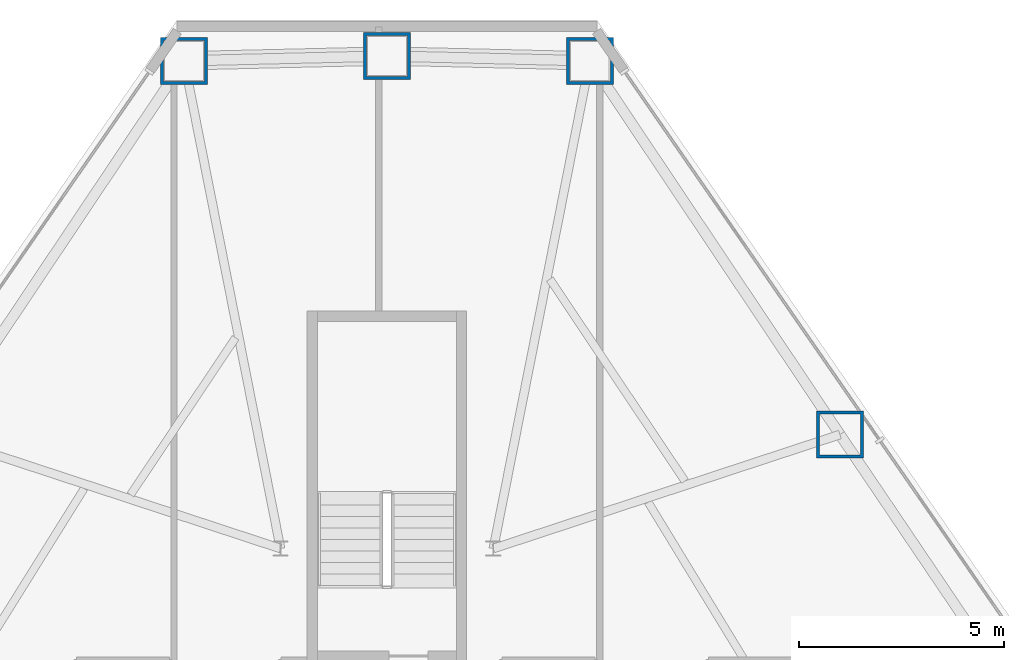
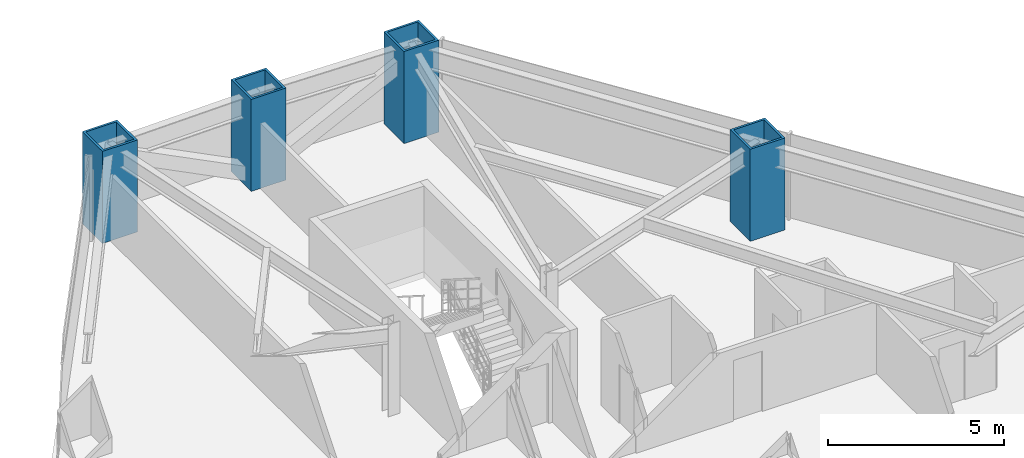
# One storey, part 3 of 13: 4 columns.
"""IFC4 building model written with IfcOpenShell, lengths in metres."""

from ifc_helpers import new_model, si_unit, direction, frame, origin, origin_2d, place, context, subcontext, project, spatial, hollow_rectangle, extrude, material, material_profile, profile_set, type_object, element, save


model = new_model("IFC4")

# Units and contexts
model_context = context("Model", 3, precision=1e-05, world=origin(), true_north=direction((0.0, 1.0)))
body_context = subcontext(model_context, "Body", "Model", "MODEL_VIEW")
ifc_project = project(units=[si_unit("LENGTHUNIT", "METRE"), si_unit("AREAUNIT", "SQUARE_METRE"), si_unit("VOLUMEUNIT", "CUBIC_METRE"), si_unit("PLANEANGLEUNIT", "RADIAN"), si_unit("MASSUNIT", "GRAM", prefix="KILO")], contexts=[model_context])

# Site, building, storey
site_placement = place(None, origin())
site = spatial("IfcSite", under=ifc_project, at=site_placement, CompositionType="ELEMENT")
building_placement = place(site_placement, origin())
building = spatial("IfcBuilding", under=site, at=building_placement, Name="Varakhsha Concourse Tower", CompositionType="ELEMENT")
storey_placement = place(building_placement, frame((0.0, 0.0, 49.60009765625)))
storey = spatial("IfcBuildingStorey", under=building, at=storey_placement, Name="L13", CompositionType="ELEMENT", Elevation=49.60009765625)

# Columns
ifc_material = material(Name="Structural Steel ASTM A572 Grade 50", Category="steel")
ifc_material_profile = material_profile(ifc_material, hollow_rectangle(XDim=1.14990234375, YDim=1.14990234375, WallThickness=0.074951171875, at=origin_2d()), Name="BOX 1150x1150x75")
ifc_profile_set = profile_set([ifc_material_profile], Name="Structural Steel ASTM A572 Grade 50")
column_type = type_object("IfcColumnType", Name="CL-TUBE-1150", PredefinedType="COLUMN", material=ifc_profile_set)
for number, where, z_axis, x_axis, name in (
    (1, (44.95751953125, 53.11962890625, 0.0), (0.0, 0.0, 1.0), (1.0, 0.0, 0.0), "L13 Framed-Tube Column TC01"),
    (2, (40.0, 53.237060546875, 0.0), (0.0, 0.0, 1.0), (1.0, 0.0, 0.0), "L13 Framed-Tube Column TC02"),
    (3, (35.04248046875, 53.11962890625, 0.0), (0.0, 0.0, 1.0), (1.0, 0.0, 0.0), "L13 Framed-Tube Column TC03"),
    (4, (51.0693359375, 43.986083984375, 0.0), (0.0, 0.0, 1.0), (1.0, 0.0, 0.0), "L13 Framed-Tube Column TC18"),
):
    element("IfcColumn", number, at=place(storey_placement, frame(where, z_axis=z_axis, x_axis=x_axis)), inside=storey, type_object=column_type, Name=name, PredefinedType="COLUMN", context=body_context, shape_type="SweptSolid", body=[
        extrude(hollow_rectangle(XDim=1.14990234375, YDim=1.14990234375, WallThickness=0.074951171875, at=origin_2d()), origin(), (0.0, 0.0, 1.0), 3.199951171875),
    ])

save(model, "model.ifc")
